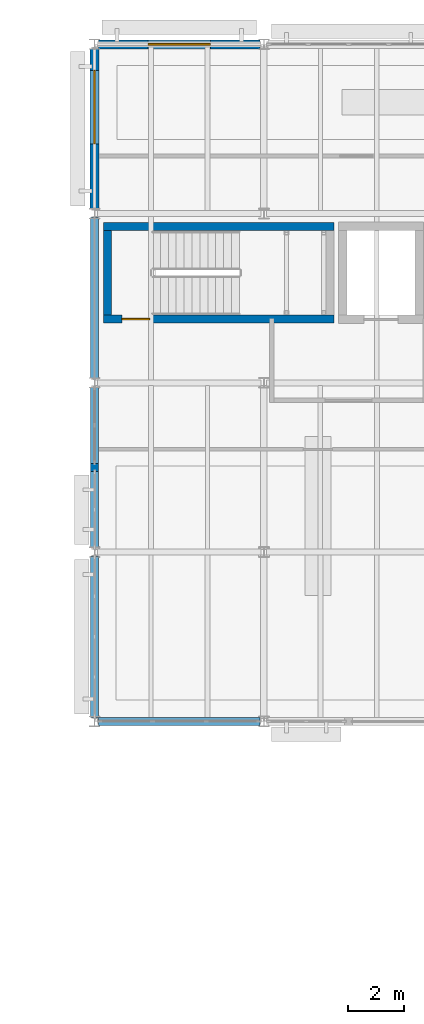
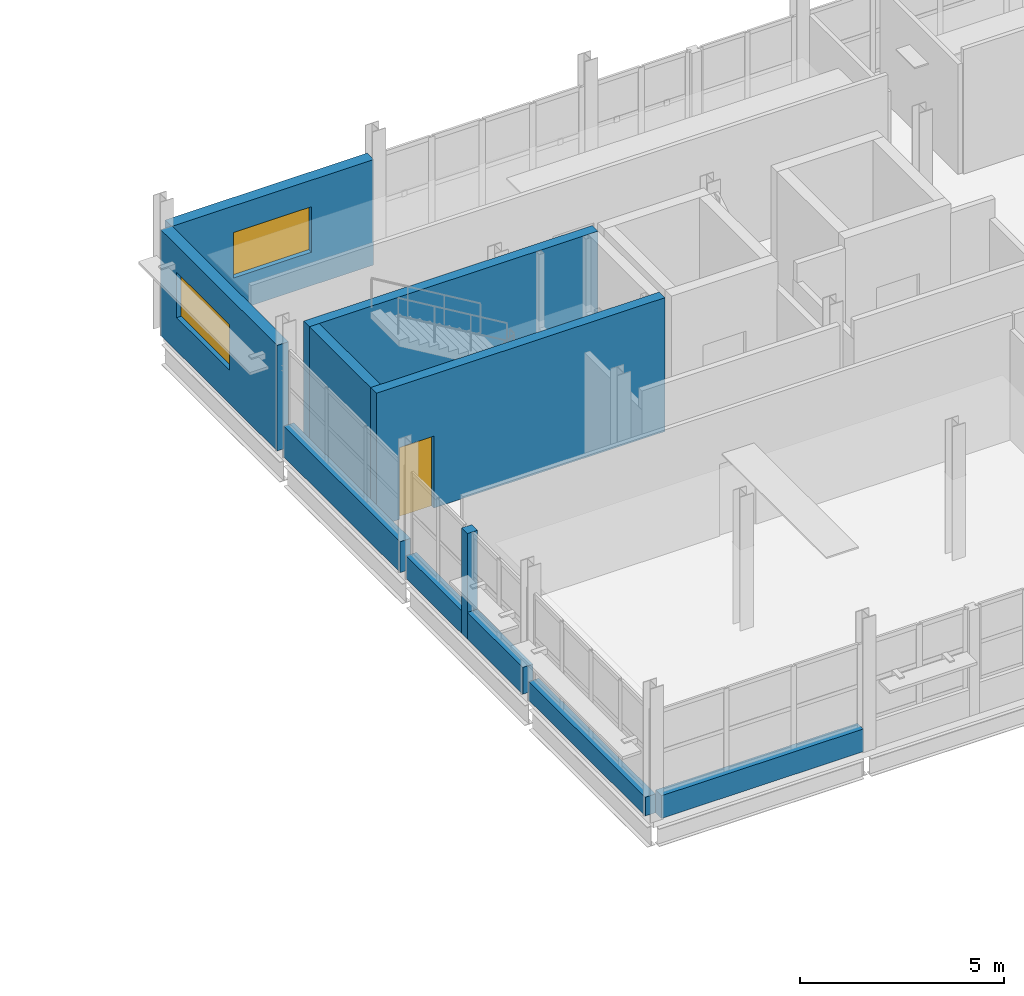
# One storey, part 73 of 92: 11 walls, 2 windows, 1 door, 3 openings.
"""IFC4 building model written with IfcOpenShell, lengths in metres."""

from ifc_helpers import new_model, si_unit, direction, frame, frame_2d, origin, place, context, subcontext, project, spatial, rectangle, extrude, material, layer, layer_set, type_object, element, fill, save


model = new_model("IFC4")

# Units and contexts
model_context = context("Model", 3, precision=1e-05, world=origin(), true_north=direction((0.0, 1.0)))
body_context = subcontext(model_context, "Body", "Model", "MODEL_VIEW")
ifc_project = project(units=[si_unit("LENGTHUNIT", "METRE"), si_unit("AREAUNIT", "SQUARE_METRE"), si_unit("VOLUMEUNIT", "CUBIC_METRE"), si_unit("PLANEANGLEUNIT", "RADIAN"), si_unit("MASSUNIT", "GRAM", prefix="KILO")], contexts=[model_context])

# Site, building, storey
site_placement = place(None, origin())
site = spatial("IfcSite", under=ifc_project, at=site_placement, CompositionType="ELEMENT")
building_placement = place(site_placement, origin())
building = spatial("IfcBuilding", under=site, at=building_placement, Name="Siltcreek Boulevard Central Fire Station", CompositionType="ELEMENT")
storey_placement = place(building_placement, frame((0.0, 0.0, 6.0)))
storey = spatial("IfcBuildingStorey", under=building, at=storey_placement, Name="L02", CompositionType="ELEMENT", Elevation=6.0)

# Wall, opening, door
ifc_material_1 = material(Name="Concrete C40/50", Category="concrete")
ifc_layer_1 = layer(ifc_material_1, 0.280029296875, Name="Concrete C40/50")
ifc_layer_set_1 = layer_set([ifc_layer_1], Name="Concrete C40/50")
wall_type_1 = type_object("IfcWallType", Name="CW_SHEAR280", PredefinedType="SHEAR", material=ifc_layer_set_1)
wall_1_placement = place(storey_placement, frame((124.52001953125, 102.4599609375, 0.0), z_axis=(0.0, 0.0, 1.0), x_axis=(1.0, 0.0, 0.0)))
wall_1 = element("IfcWall", 1, at=wall_1_placement, inside=storey, type_object=wall_type_1, Name="L02 ST-V5A stair enclosure south shear wall", PredefinedType="SHEAR", context=body_context, shape_type="SweptSolid", body=[
    extrude(rectangle(XDim=8.159912109375, YDim=0.280029296875, at=frame_2d((4.080078125, 0.0))), origin(), (0.0, 0.0, 1.0), 4.0),
])
opening_1_placement = place(wall_1_placement, frame((0.64990234375, 0.0, 0.0)))
opening_1 = element("IfcOpeningElement", 2, at=opening_1_placement, cuts=wall_1, Name="Opening SD-034", PredefinedType="OPENING", context=body_context, shape_type="SweptSolid", body=[
    extrude(rectangle(XDim=0.97998046875, YDim=2.14990234375, at=frame_2d((0.489990234375, 1.074951171875))), frame((0.0, 0.14990234375, 0.0), z_axis=(0.0, -1.0, 0.0), x_axis=(1.0, 0.0, 0.0)), (0.0, 0.0, 1.0), 0.300048828125),
])
ifc_material_2 = material(Name="Hollow metal 90-min enclosed stair door")
door_type = type_object("IfcDoorType", Name="DR_ST_098X215", OperationType="NOTDEFINED", PredefinedType="DOOR", material=ifc_material_2)
door_placement = place(opening_1_placement, origin())
door = element("IfcDoor", 3, at=door_placement, inside=storey, type_object=door_type, Name="L02 ST-V5A enclosed exit stair door SD-034", OperationType="SINGLE_SWING_LEFT", OverallHeight=2.14990234375, OverallWidth=0.97998046875, PredefinedType="DOOR", context=body_context, shape_type="SweptSolid", body=[
    extrude(rectangle(XDim=0.97998046875, YDim=2.14990234375, at=frame_2d((0.489990234375, 1.074951171875))), frame((0.0, 0.02490234375, 0.0), z_axis=(0.0, -1.0, 0.0), x_axis=(1.0, 0.0, 0.0)), (0.0, 0.0, 1.0), 0.050048828125),
])
fill(opening_1, door)

# Walls
wall_2_placement = place(storey_placement, frame((132.679931640625, 105.739990234375, 0.0), z_axis=(0.0, 0.0, 1.0), x_axis=(-1.0, 0.0, 0.0)))
element("IfcWall", 4, at=wall_2_placement, inside=storey, type_object=wall_type_1, Name="L02 ST-V5A stair enclosure north shear wall", PredefinedType="SHEAR", context=body_context, shape_type="SweptSolid", body=[
    extrude(rectangle(XDim=8.159912109375, YDim=0.280029296875, at=frame_2d((4.080078125, 0.0))), origin(), (0.0, 0.0, 1.0), 4.0),
])
wall_3_placement = place(storey_placement, frame((124.659912109375, 105.60009765625, 0.0), z_axis=(0.0, 0.0, 1.0), x_axis=(0.0, -1.0, 0.0)))
element("IfcWall", 5, at=wall_3_placement, inside=storey, type_object=wall_type_1, Name="L02 ST-V5A stair enclosure west shear wall", PredefinedType="SHEAR", context=body_context, shape_type="SweptSolid", body=[
    extrude(rectangle(XDim=3.0, YDim=0.280029296875, at=frame_2d((1.5, 0.0))), origin(), (0.0, 0.0, 1.0), 4.0),
])
ifc_material_3 = material(Name="White ribbed aluminum spandrel wall", Category="aluminium")
ifc_layer_2 = layer(ifc_material_3, 0.2900390625, Name="White ribbed aluminum spandrel wall")
ifc_layer_set_2 = layer_set([ifc_layer_2], Name="White ribbed aluminum spandrel wall")
wall_type_2 = type_object("IfcWallType", Name="EW_METAL290", PredefinedType="STANDARD", material=ifc_layer_set_2)
wall_4_placement = place(storey_placement, frame((124.344970703125, 88.199951171875, 0.0), z_axis=(0.0, 0.0, 1.0), x_axis=(1.0, 0.0, 0.0)))
element("IfcWall", 6, at=wall_4_placement, inside=storey, type_object=wall_type_2, Name="L02 V5 curtain-wall sill spandrel 0331", PredefinedType="STANDARD", context=body_context, shape_type="SweptSolid", body=[
    extrude(rectangle(XDim=5.7099609375, YDim=0.2900390625, at=frame_2d((2.85498046875, 0.0))), origin(), (0.0, 0.0, 1.0), 0.679931640625),
])
wall_5_placement = place(storey_placement, frame((124.199951171875, 94.054931640625, 0.0), z_axis=(0.0, 0.0, 1.0), x_axis=(0.0, -1.0, 0.0)))
element("IfcWall", 7, at=wall_5_placement, inside=storey, type_object=wall_type_2, Name="L02 V5 curtain-wall sill spandrel 0357", PredefinedType="STANDARD", context=body_context, shape_type="SweptSolid", body=[
    extrude(rectangle(XDim=5.7099609375, YDim=0.2900390625, at=frame_2d((2.85498046875, 0.0))), origin(), (0.0, 0.0, 1.0), 0.56005859375),
])
wall_6_placement = place(storey_placement, frame((124.199951171875, 97.340087890625, 0.0), z_axis=(0.0, 0.0, 1.0), x_axis=(0.0, -1.0, 0.0)))
element("IfcWall", 8, at=wall_6_placement, inside=storey, type_object=wall_type_2, Name="L02 V5 facade pier 0358", PredefinedType="STANDARD", context=body_context, shape_type="SweptSolid", body=[
    extrude(rectangle(XDim=0.280029296875, YDim=0.2900390625, at=frame_2d((0.14013671875, 0.0))), origin(), (0.0, 0.0, 1.0), 3.156982421875),
])
wall_7_placement = place(storey_placement, frame((124.199951171875, 100.054931640625, 0.0), z_axis=(0.0, 0.0, 1.0), x_axis=(0.0, -1.0, 0.0)))
element("IfcWall", 9, at=wall_7_placement, inside=storey, type_object=wall_type_2, Name="L02 V5 curtain-wall sill spandrel 0359", PredefinedType="STANDARD", context=body_context, shape_type="SweptSolid", body=[
    extrude(rectangle(XDim=2.71484375, YDim=0.2900390625, at=frame_2d((1.357421875, 0.0))), origin(), (0.0, 0.0, 1.0), 0.679931640625),
])
wall_8_placement = place(storey_placement, frame((124.199951171875, 97.06005859375, 0.0), z_axis=(0.0, 0.0, 1.0), x_axis=(0.0, -1.0, 0.0)))
element("IfcWall", 10, at=wall_8_placement, inside=storey, type_object=wall_type_2, Name="L02 V5 curtain-wall sill spandrel 0360", PredefinedType="STANDARD", context=body_context, shape_type="SweptSolid", body=[
    extrude(rectangle(XDim=2.715087890625, YDim=0.2900390625, at=frame_2d((1.357421875, 0.0))), origin(), (0.0, 0.0, 1.0), 0.800048828125),
])
wall_9_placement = place(storey_placement, frame((124.199951171875, 106.054931640625, 0.0), z_axis=(0.0, 0.0, 1.0), x_axis=(0.0, -1.0, 0.0)))
element("IfcWall", 11, at=wall_9_placement, inside=storey, type_object=wall_type_2, Name="L02 V5 curtain-wall sill spandrel 0361", PredefinedType="STANDARD", context=body_context, shape_type="SweptSolid", body=[
    extrude(rectangle(XDim=5.7099609375, YDim=0.2900390625, at=frame_2d((2.85498046875, 0.0))), origin(), (0.0, 0.0, 1.0), 0.919921875),
])

# Wall, opening, window
ifc_material_4 = material(Name="White ribbed aluminum insulated rainscreen panel", Category="aluminium")
ifc_layer_3 = layer(ifc_material_4, 0.320068359375, Name="White ribbed aluminum insulated rainscreen panel")
ifc_layer_set_3 = layer_set([ifc_layer_3], Name="White ribbed aluminum insulated rainscreen panel")
wall_type_3 = type_object("IfcWallType", Name="EW_METAL320", PredefinedType="STANDARD", material=ifc_layer_set_3)
wall_10_placement = place(storey_placement, frame((130.054931640625, 112.199951171875, 0.0), z_axis=(0.0, 0.0, 1.0), x_axis=(-1.0, 0.0, 0.0)))
wall_10 = element("IfcWall", 12, at=wall_10_placement, inside=storey, type_object=wall_type_3, Name="L02 V5 exterior insulated rainscreen wall WL-EXT-L02-0344", PredefinedType="STANDARD", context=body_context, shape_type="SweptSolid", body=[
    extrude(rectangle(XDim=5.7099609375, YDim=0.320068359375, at=frame_2d((2.85498046875, 0.0))), origin(), (0.0, 0.0, 1.0), 3.153076171875),
])
opening_2_placement = place(wall_10_placement, frame((1.7548828125, 0.0, 1.0)))
opening_2 = element("IfcOpeningElement", 13, at=opening_2_placement, cuts=wall_10, Name="Opening WN10", PredefinedType="OPENING", context=body_context, shape_type="SweptSolid", body=[
    extrude(rectangle(XDim=2.199951171875, YDim=1.360107421875, at=frame_2d((1.10009765625, 0.68017578125))), frame((0.0, 0.169921875, 0.0), z_axis=(0.0, -1.0, 0.0), x_axis=(1.0, 0.0, 0.0)), (0.0, 0.0, 1.0), 0.340087890625),
])
ifc_material_5 = material(Name="Thermally broken aluminum frame with low-E insulated glass", Category="aluminium")
window_type_1 = type_object("IfcWindowType", Name="WN_PB_220X136", PartitioningType="SINGLE_PANEL", PredefinedType="WINDOW", material=ifc_material_5)
window_1_placement = place(opening_2_placement, origin())
window_1 = element("IfcWindow", 14, at=window_1_placement, inside=storey, type_object=window_type_1, Name="L02 V5 exterior window WN-0151", OverallHeight=1.360107421875, OverallWidth=2.199951171875, PartitioningType="SINGLE_PANEL", PredefinedType="WINDOW", context=body_context, shape_type="SweptSolid", body=[
    extrude(rectangle(XDim=2.199951171875, YDim=1.360107421875, at=frame_2d((1.10009765625, 0.68017578125))), frame((0.0, 0.030029296875, 0.0), z_axis=(0.0, -1.0, 0.0), x_axis=(1.0, 0.0, 0.0)), (0.0, 0.0, 1.0), 0.06005859375),
])
fill(opening_2, window_1)

wall_11_placement = place(storey_placement, frame((124.199951171875, 112.054931640625, 0.0), z_axis=(0.0, 0.0, 1.0), x_axis=(0.0, -1.0, 0.0)))
wall_11 = element("IfcWall", 15, at=wall_11_placement, inside=storey, type_object=wall_type_3, Name="L02 V5 exterior insulated rainscreen wall WL-EXT-L02-0362", PredefinedType="STANDARD", context=body_context, shape_type="SweptSolid", body=[
    extrude(rectangle(XDim=5.7099609375, YDim=0.320068359375, at=frame_2d((2.85498046875, 0.0))), origin(), (0.0, 0.0, 1.0), 3.156982421875),
])
opening_3_placement = place(wall_11_placement, frame((0.78369140625, 0.0, 1.0)))
opening_3 = element("IfcOpeningElement", 16, at=opening_3_placement, cuts=wall_11, Name="Opening WN12", PredefinedType="OPENING", context=body_context, shape_type="SweptSolid", body=[
    extrude(rectangle(XDim=2.60009765625, YDim=1.360107421875, at=frame_2d((1.300048828125, 0.68017578125))), frame((0.0, 0.169921875, 0.0), z_axis=(0.0, -1.0, 0.0), x_axis=(1.0, 0.0, 0.0)), (0.0, 0.0, 1.0), 0.340087890625),
])
window_type_2 = type_object("IfcWindowType", Name="WN_PB_260X136", PartitioningType="SINGLE_PANEL", PredefinedType="WINDOW", material=ifc_material_5)
window_2_placement = place(opening_3_placement, origin())
window_2 = element("IfcWindow", 17, at=window_2_placement, inside=storey, type_object=window_type_2, Name="L02 V5 exterior window WN-0153", OverallHeight=1.360107421875, OverallWidth=2.60009765625, PartitioningType="SINGLE_PANEL", PredefinedType="WINDOW", context=body_context, shape_type="SweptSolid", body=[
    extrude(rectangle(XDim=2.60009765625, YDim=1.360107421875, at=frame_2d((1.300048828125, 0.68017578125))), frame((0.0, 0.030029296875, 0.0), z_axis=(0.0, -1.0, 0.0), x_axis=(1.0, 0.0, 0.0)), (0.0, 0.0, 1.0), 0.06005859375),
])
fill(opening_3, window_2)

save(model, "model.ifc")
